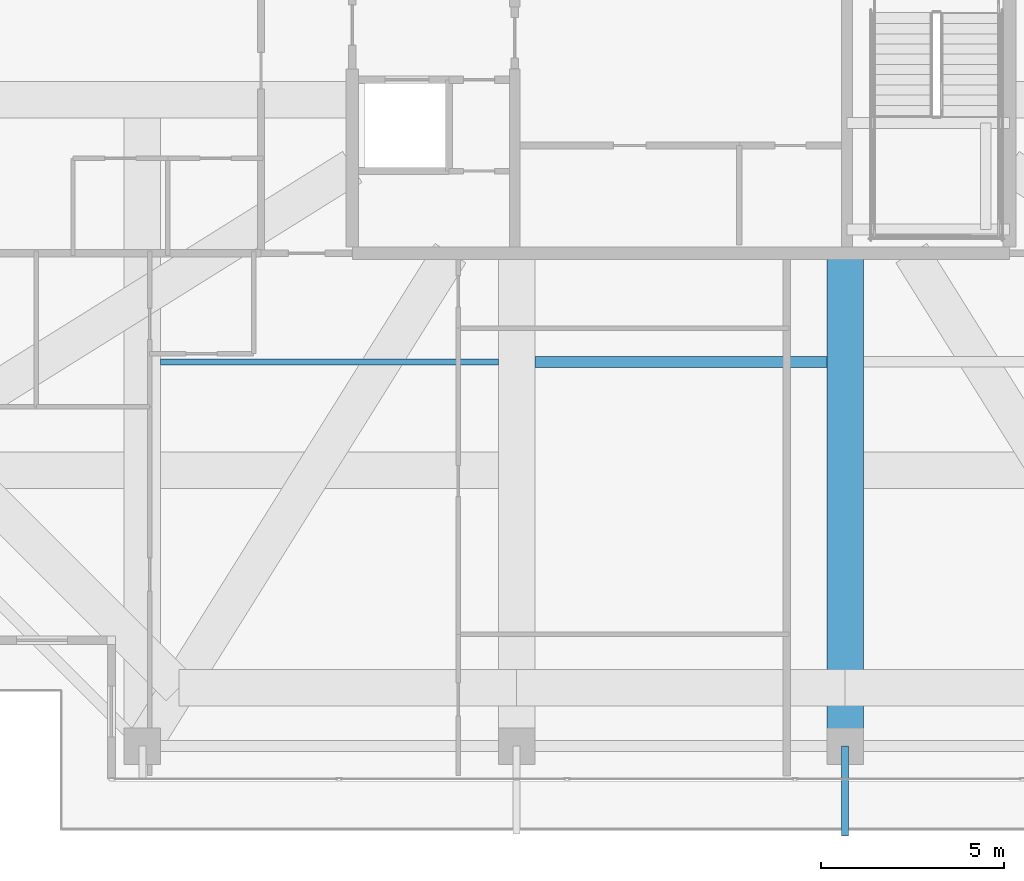
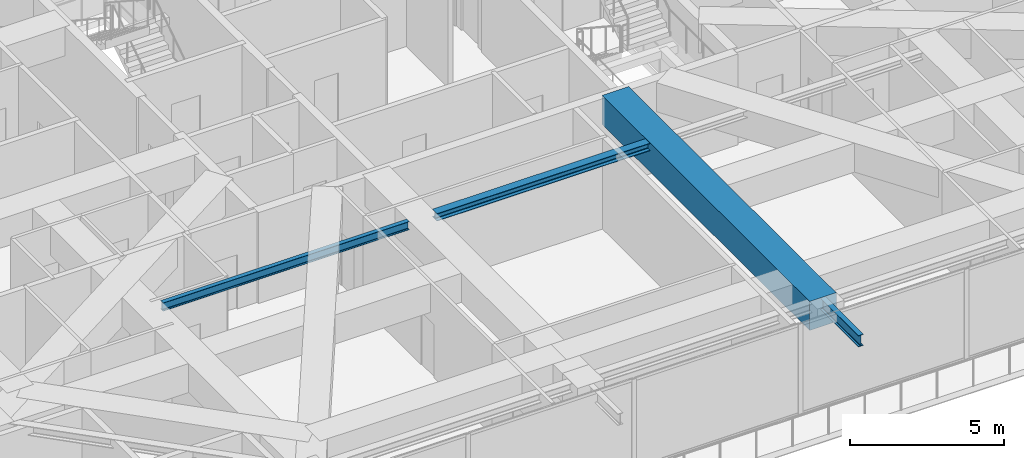
# One storey, part 8 of 40: 4 beams.
"""IFC4 building model written with IfcOpenShell, lengths in metres."""

from ifc_helpers import new_model, si_unit, direction, frame, origin, origin_2d, place, context, subcontext, project, spatial, rectangle, i_section, extrude, source, transform, mapped, material, material_profile, profile_set, type_object, element, save


model = new_model("IFC4")

# Units and contexts
model_context = context("Model", 3, precision=1e-05, world=origin(), true_north=direction((0.0, 1.0)))
body_context = subcontext(model_context, "Body", "Model", "MODEL_VIEW")
ifc_project = project(units=[si_unit("LENGTHUNIT", "METRE"), si_unit("AREAUNIT", "SQUARE_METRE"), si_unit("VOLUMEUNIT", "CUBIC_METRE"), si_unit("PLANEANGLEUNIT", "RADIAN"), si_unit("MASSUNIT", "GRAM", prefix="KILO")], contexts=[model_context])

# Site, building, storey
site_placement = place(None, origin())
site = spatial("IfcSite", under=ifc_project, at=site_placement, CompositionType="ELEMENT")
building_placement = place(site_placement, origin())
building = spatial("IfcBuilding", under=site, at=building_placement, Name="Serunith Strait Residences", CompositionType="ELEMENT")
storey_placement = place(building_placement, frame((0.0, 0.0, 333.949951171875)))
storey = spatial("IfcBuildingStorey", under=building, at=storey_placement, Name="L83", CompositionType="ELEMENT", Elevation=333.949951171875)

# Beams
ifc_material_1 = material(Name="Steel S355J2", Category="steel")
ifc_material_profile_1 = material_profile(ifc_material_1, i_section(OverallWidth=0.300048828125, OverallDepth=0.300048828125, WebThickness=0.010986328125, FlangeThickness=0.01904296875, FilletRadius=0.027099609375, at=origin_2d()), Name="HEB 300")
ifc_profile_set_1 = profile_set([ifc_material_profile_1], Name="Steel S355J2")
beam_type_1 = type_object("IfcBeamType", Name="BM-HEB300", PredefinedType="JOIST", material=ifc_profile_set_1)
shared_shape_1 = source(origin(), body_context, "Body", "SweptSolid", [
    extrude(i_section(OverallWidth=0.300048828125, OverallDepth=0.300048828125, WebThickness=0.010986328125, FlangeThickness=0.01904296875, FilletRadius=0.027099609375, at=origin_2d()), origin(), (0.0, 0.0, 1.0), 8.0),
])
beam_1_placement = place(storey_placement, frame((28.39990234375, 13.824951171875, 3.45703125), z_axis=(1.0, 0.0, 0.0), x_axis=(0.0, 1.0, 0.0)))
element("IfcBeam", 1, at=beam_1_placement, inside=storey, type_object=beam_type_1, Name="L83 Composite Floor Joist 02", PredefinedType="JOIST", context=body_context, shape_type="MappedRepresentation", body=[
    mapped(shared_shape_1, transform((0.0, 0.0, 0.0), scale=1.0)),
])
ifc_material_2 = material(Name="Concrete C80/95", Category="concrete")
ifc_material_profile_2 = material_profile(ifc_material_2, rectangle(XDim=1.0, YDim=1.14990234375, at=origin_2d()), Name="RC 1000x1150")
ifc_profile_set_2 = profile_set([ifc_material_profile_2], Name="Concrete C80/95")
beam_type_2 = type_object("IfcBeamType", Name="BM-XFER-1000x1150", PredefinedType="BEAM", material=ifc_profile_set_2)
shared_shape_2 = source(origin(), body_context, "Body", "SweptSolid", [
    extrude(rectangle(XDim=1.0, YDim=1.14990234375, at=origin_2d()), origin(), (0.0, 0.0, 1.0), 13.5),
])
beam_2_placement = place(storey_placement, frame((36.89990234375, 16.800048828125, 3.03515625), z_axis=(0.0, -1.0, 0.0), x_axis=(1.0, 0.0, 0.0)))
element("IfcBeam", 2, at=beam_2_placement, inside=storey, type_object=beam_type_2, Name="L83 Primary Floor Girder TC-S3", PredefinedType="BEAM", context=body_context, shape_type="MappedRepresentation", body=[
    mapped(shared_shape_2, transform((0.0, 0.0, 0.0), scale=1.0)),
])
ifc_material_profile_3 = material_profile(ifc_material_1, i_section(OverallWidth=0.159912109375, OverallDepth=0.330078125, WebThickness=0.007568359375, FlangeThickness=0.011474609375, FilletRadius=0.01806640625, at=origin_2d()), Name="IPE 330")
ifc_profile_set_3 = profile_set([ifc_material_profile_3], Name="Steel S355J2")
beam_type_3 = type_object("IfcBeamType", Name="BM-IPE330", PredefinedType="JOIST", material=ifc_profile_set_3)
shared_shape_3 = source(origin(), body_context, "Body", "SweptSolid", [
    extrude(i_section(OverallWidth=0.159912109375, OverallDepth=0.330078125, WebThickness=0.007568359375, FlangeThickness=0.011474609375, FilletRadius=0.01806640625, at=origin_2d()), origin(), (0.0, 0.0, 1.0), 9.25),
])
beam_3_placement = place(storey_placement, frame((18.14990234375, 13.824951171875, 3.442138671875), z_axis=(1.0, 0.0, 0.0), x_axis=(0.0, 1.0, 0.0)))
element("IfcBeam", 3, at=beam_3_placement, inside=storey, type_object=beam_type_3, Name="L83 Composite Floor Joist 01", PredefinedType="JOIST", context=body_context, shape_type="MappedRepresentation", body=[
    mapped(shared_shape_3, transform((0.0, 0.0, 0.0), scale=1.0)),
])
ifc_material_profile_4 = material_profile(ifc_material_1, i_section(OverallWidth=0.18994140625, OverallDepth=0.449951171875, WebThickness=0.009521484375, FlangeThickness=0.0146484375, FilletRadius=0.02099609375, at=origin_2d()), Name="IPE 450")
ifc_profile_set_4 = profile_set([ifc_material_profile_4], Name="Steel S355J2")
beam_type_4 = type_object("IfcBeamType", Name="BM-IPE450", PredefinedType="JOIST", material=ifc_profile_set_4)
shared_shape_4 = source(origin(), body_context, "Body", "SweptSolid", [
    extrude(i_section(OverallWidth=0.18994140625, OverallDepth=0.449951171875, WebThickness=0.009521484375, FlangeThickness=0.0146484375, FilletRadius=0.02099609375, at=origin_2d()), origin(), (0.0, 0.0, 1.0), 2.468017578125),
])
beam_4_placement = place(storey_placement, frame((36.89990234375, 3.300048828125, 3.382080078125), z_axis=(0.0, -1.0, 0.0), x_axis=(1.0, 0.0, 0.0)))
element("IfcBeam", 4, at=beam_4_placement, inside=storey, type_object=beam_type_4, Name="L84 Cantilevered Balcony Rib TC-S3", PredefinedType="JOIST", context=body_context, shape_type="MappedRepresentation", body=[
    mapped(shared_shape_4, transform((0.0, 0.0, 0.0), scale=1.0)),
])

save(model, "model.ifc")
